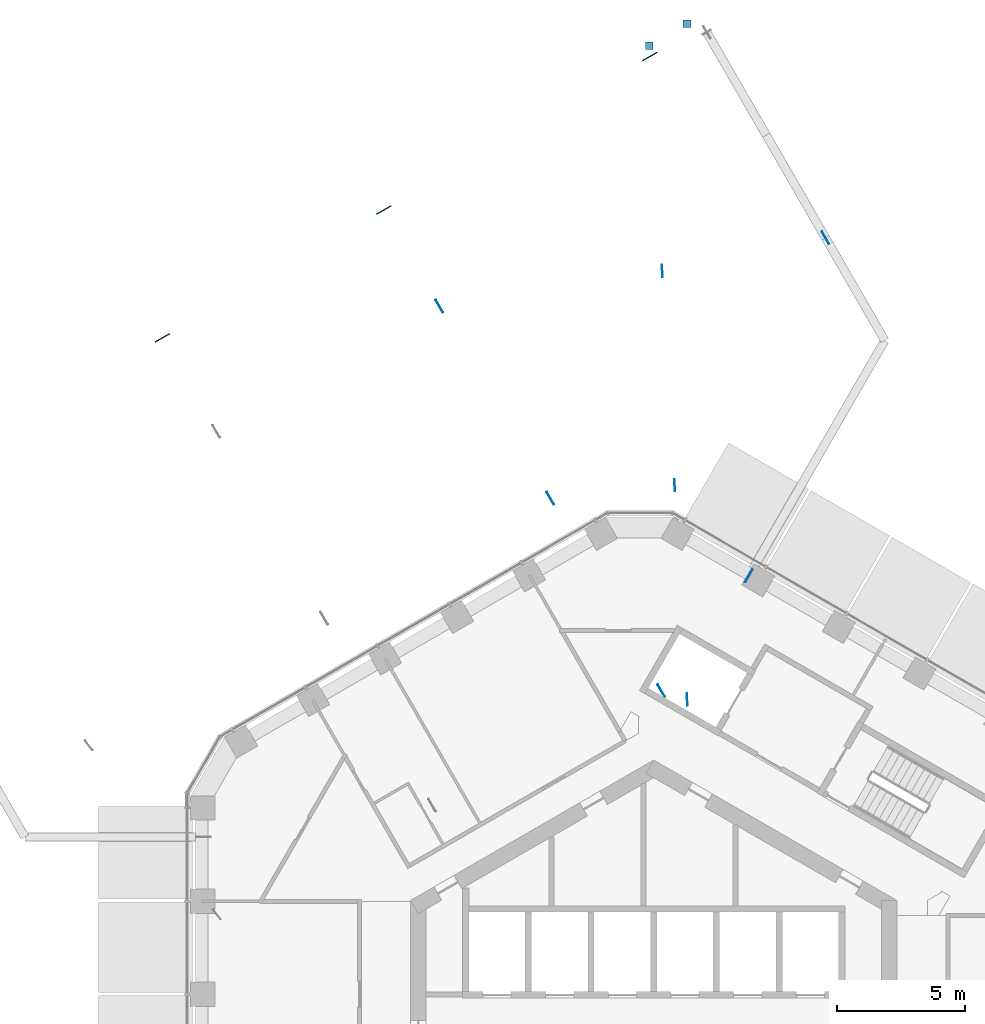
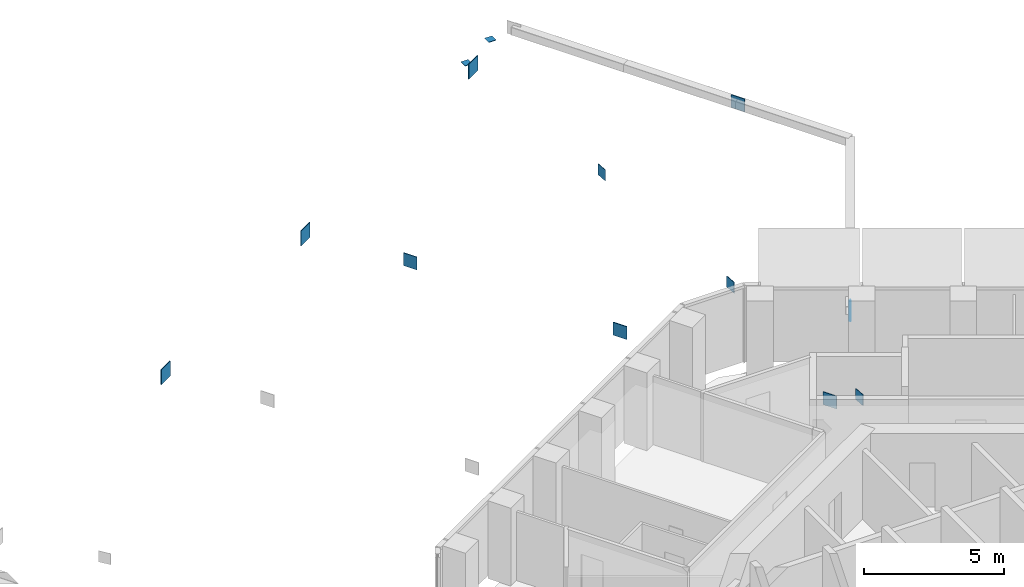
# One storey, part 18 of 21: 13 discrete accessories.
"""IFC4 building model written with IfcOpenShell, lengths in metres."""

from ifc_helpers import new_model, si_unit, direction, frame, origin, origin_2d, place, context, subcontext, project, spatial, rectangle, extrude, material, layer, layer_set, type_object, element, save


model = new_model("IFC4")

# Units and contexts
model_context = context("Model", 3, precision=1e-05, world=origin(), true_north=direction((0.0, 1.0)))
body_context = subcontext(model_context, "Body", "Model", "MODEL_VIEW")
ifc_project = project(units=[si_unit("LENGTHUNIT", "METRE"), si_unit("AREAUNIT", "SQUARE_METRE"), si_unit("VOLUMEUNIT", "CUBIC_METRE"), si_unit("PLANEANGLEUNIT", "RADIAN"), si_unit("MASSUNIT", "GRAM", prefix="KILO")], contexts=[model_context])

# Site, building, storey
site_placement = place(None, origin())
site = spatial("IfcSite", under=ifc_project, at=site_placement, CompositionType="ELEMENT")
building_placement = place(site_placement, origin())
building = spatial("IfcBuilding", under=site, at=building_placement, Name="Ayvan Gate Tower", CompositionType="ELEMENT")
storey_placement = place(building_placement, frame((0.0, 0.0, 183.300048828125)))
storey = spatial("IfcBuildingStorey", under=building, at=storey_placement, Name="L49", CompositionType="ELEMENT", Elevation=183.300048828125)

# Discrete accessories
ifc_material = material(Name="Steel S460ML", Category="steel")
ifc_layer_1 = layer(ifc_material, 0.02001953125)
ifc_layer_set_1 = layer_set([ifc_layer_1], Name="Steel S460ML")
discrete_accessory_type_1 = type_object("IfcDiscreteAccessoryType", Name="Gusset plate 20 mm", PredefinedType="BRACKET", material=ifc_layer_set_1)
for number, where, z_axis, x_axis, name in (
    (1, (1.308349609375, 13.33349609375, 2.43505859375), (0.0, 0.0, 1.0), (-0.058020538941, 0.998315389574, 0.0), "Gusset plate SBT4-1-D-2"),
    (2, (0.821533203125, 21.710205078125, 2.43505859375), (0.0, 0.0, 1.0), (-0.058020538941, 0.998315389574, 0.0), "Gusset plate SBT4-1-D-3"),
    (3, (0.334716796875, 30.0869140625, 2.43505859375), (0.0, 0.0, 1.0), (-0.058020538941, 0.998315389574, 0.0), "Gusset plate SBT4-1-D-5"),
):
    element("IfcDiscreteAccessory", number, at=place(storey_placement, frame(where, z_axis=z_axis, x_axis=x_axis)), inside=storey, type_object=discrete_accessory_type_1, Name=name, PredefinedType="BRACKET", context=body_context, shape_type="SweptSolid", body=[
        extrude(rectangle(XDim=0.47998046875, YDim=0.02001953125, at=origin_2d()), origin(), (0.0, 0.0, 1.0), 0.47998046875),
    ])
ifc_layer_2 = layer(ifc_material, 0.030029296875)
ifc_layer_set_2 = layer_set([ifc_layer_2], Name="Steel S460ML")
discrete_accessory_type_2 = type_object("IfcDiscreteAccessoryType", Name="Gusset plate 30 mm", PredefinedType="BRACKET", material=ifc_layer_set_2)
for number, where, z_axis, x_axis, name in (
    (4, (0.297607421875, 13.6845703125, 2.39501953125), (0.0, 0.0, 1.0), (-0.5, 0.866025403784, 0.0), "Gusset plate SBT4-2-D-2"),
    (5, (-4.039306640625, 21.1962890625, 2.39501953125), (0.0, 0.0, 1.0), (-0.5, 0.866025403784, 0.0), "Gusset plate SBT4-2-D-3"),
    (6, (-8.376220703125, 28.707763671875, 2.39501953125), (0.0, 0.0, 1.0), (-0.5, 0.866025403784, 0.0), "Gusset plate SBT4-2-D-5"),
    (7, (3.718505859375, 18.167724609375, 2.39501953125), (0.0, 0.0, 1.0), (0.5, 0.866025403784, 0.0), "Gusset plate SBX4-B-D-1"),
    (8, (6.7138671875, 31.381103515625, 2.39501953125), (0.0, 0.0, 1.0), (-0.5, 0.866025403784, 0.0), "Gusset plate SBX4-B-D-2"),
):
    element("IfcDiscreteAccessory", number, at=place(storey_placement, frame(where, z_axis=z_axis, x_axis=x_axis)), inside=storey, type_object=discrete_accessory_type_2, Name=name, PredefinedType="BRACKET", context=body_context, shape_type="SweptSolid", body=[
        extrude(rectangle(XDim=0.56005859375, YDim=0.030029296875, at=origin_2d()), origin(), (0.0, 0.0, 1.0), 0.56005859375),
    ])
ifc_layer_3 = layer(ifc_material, 0.034912109375)
ifc_layer_set_3 = layer_set([ifc_layer_3], Name="Steel S460ML")
discrete_accessory_type_3 = type_object("IfcDiscreteAccessoryType", Name="Gusset plate 35 mm", PredefinedType="BRACKET", material=ifc_layer_set_3)
for number, where, z_axis, x_axis, name in (
    (9, (-0.152099609375, 38.463623046875, 2.02490234375), (0.0, 0.0, 1.0), (0.866025403784, 0.5, 0.0), "Gusset plate EXO-B4-D1A"),
    (10, (-10.54443359375, 32.463623046875, 2.02490234375), (0.0, 0.0, 1.0), (0.866025403784, 0.5, 0.0), "Gusset plate EXO-B4-D1B"),
    (11, (-19.20458984375, 27.463623046875, 2.02490234375), (0.0, 0.0, 1.0), (0.866025403784, 0.5, 0.0), "Gusset plate EXO-B4-D2B"),
):
    element("IfcDiscreteAccessory", number, at=place(storey_placement, frame(where, z_axis=z_axis, x_axis=x_axis)), inside=storey, type_object=discrete_accessory_type_3, Name=name, PredefinedType="BRACKET", context=body_context, shape_type="SweptSolid", body=[
        extrude(rectangle(XDim=0.650146484375, YDim=0.034912109375, at=origin_2d()), origin(), (0.0, 0.0, 1.0), 0.650146484375),
    ])
ifc_layer_4 = layer(ifc_material, 0.02001953125)
ifc_layer_set_4 = layer_set([ifc_layer_4], Name="Steel S460ML")
discrete_accessory_type_4 = type_object("IfcDiscreteAccessoryType", Name="Sky bar end cap plate", PredefinedType="BRACKET", material=ifc_layer_set_4)
for number, where, z_axis, x_axis, name in (
    (12, (-0.1689453125, 38.892578125, 2.280029296875), (0.0, 0.0, 1.0), (1.0, 0.0, 0.0), "End cap SBX4-C-P-3:EC0"),
    (13, (1.30322265625, 39.74267578125, 2.280029296875), (0.0, 0.0, 1.0), (1.0, 0.0, 0.0), "End cap SBX4-C-P-4:EC0"),
):
    element("IfcDiscreteAccessory", number, at=place(storey_placement, frame(where, z_axis=z_axis, x_axis=x_axis)), inside=storey, type_object=discrete_accessory_type_4, Name=name, PredefinedType="BRACKET", context=body_context, shape_type="SweptSolid", body=[
        extrude(rectangle(XDim=0.300048828125, YDim=0.300048828125, at=origin_2d()), origin(), (0.0, 0.0, 1.0), 0.02001953125),
    ])

save(model, "model.ifc")
